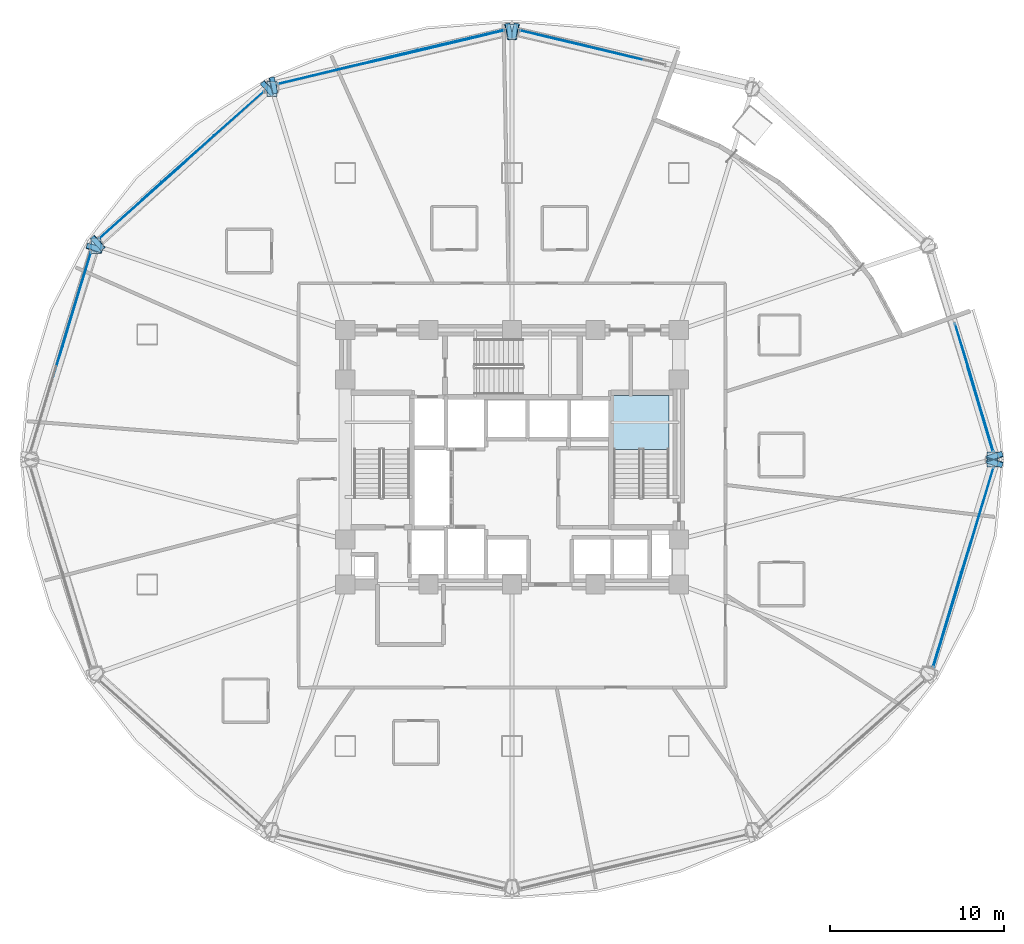
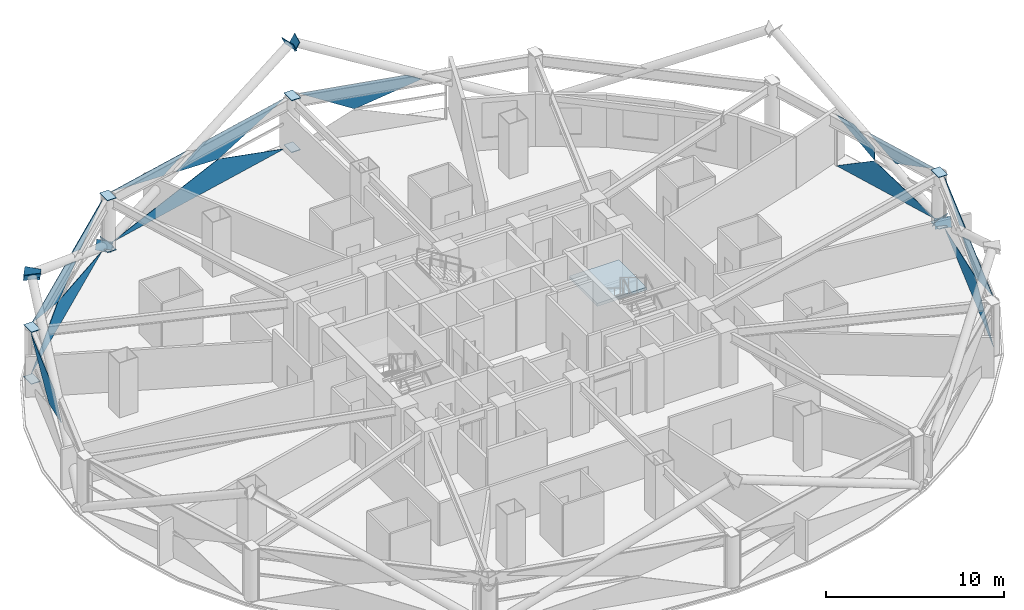
# One storey, part 23 of 33: 30 plates, 1 slab, 7 elements without a shape of their own.
"""IFC4 building model written with IfcOpenShell, lengths in metres."""

from ifc_helpers import new_model, si_unit, direction, frame, origin, place, context, subcontext, project, spatial, polyline, outline, extrude, material, layer, layer_set, type_object, element, aggregate, save


model = new_model("IFC4")

# Units and contexts
model_context = context("Model", 3, precision=1e-05, world=origin(), true_north=direction((0.0, 1.0)))
body_context = subcontext(model_context, "Body", "Model", "MODEL_VIEW")
ifc_project = project(units=[si_unit("LENGTHUNIT", "METRE"), si_unit("AREAUNIT", "SQUARE_METRE"), si_unit("VOLUMEUNIT", "CUBIC_METRE"), si_unit("PLANEANGLEUNIT", "RADIAN"), si_unit("MASSUNIT", "GRAM", prefix="KILO")], contexts=[model_context])

# Site, building, storey
site_placement = place(None, origin())
site = spatial("IfcSite", under=ifc_project, at=site_placement, CompositionType="ELEMENT")
building_placement = place(site_placement, origin())
building = spatial("IfcBuilding", under=site, at=building_placement, Name="Vantalir Tower", CompositionType="ELEMENT")
storey_placement = place(building_placement, frame((0.0, 0.0, 72.0)))
storey = spatial("IfcBuildingStorey", under=building, at=storey_placement, Name="L17", CompositionType="ELEMENT", Elevation=72.0)

# Curtain wall, plates
ifc_material_1 = material(Name="Champagne-silver PVDF aluminium and double-silver Low-E glass", Category="aluminium")
ifc_layer_1 = layer(ifc_material_1, 0.18994140625)
ifc_layer_set_1 = layer_set([ifc_layer_1], Name="Champagne-silver PVDF aluminium and double-silver Low-E glass")
curtain_wall_type = type_object("IfcCurtainWallType", Name="CW-DIAMOND-Z1", PredefinedType="USERDEFINED", material=ifc_layer_set_1)
curtain_wall_1_placement = place(storey_placement, origin())
curtain_wall_1 = element("IfcCurtainWall", 1, at=curtain_wall_1_placement, inside=storey, type_object=curtain_wall_type, Name="L17 Quilted Pyramid-Diamond Curtain Wall S01", ObjectType="UNITISED CURTAIN WALL", PredefinedType="USERDEFINED")
ifc_material_2 = material(Name="Double-silver Low-E laminated glass IGU", Category="glass")
ifc_layer_2 = layer(ifc_material_2, 0.028076171875)
ifc_layer_set_2 = layer_set([ifc_layer_2], Name="Double-silver Low-E laminated glass IGU")
plate_type_1 = type_object("IfcPlateType", Name="CWP-IGU-28", PredefinedType="CURTAIN_PANEL", material=ifc_layer_set_2)
plate_1_placement = place(storey_placement, frame((59.200439453125, 25.46435546875, 0.047119140625), z_axis=(-0.957580297939, -0.287837997777, 0.013757181213), x_axis=(-0.287864820134, 0.957671052249, 3.183641e-05)))
plate_1 = element("IfcPlate", 2, at=plate_1_placement, type_object=plate_type_1, Name="CW-L17-S01 Pyramid Diamond Facet 1L", PredefinedType="CURTAIN_PANEL", context=body_context, shape_type="SweptSolid", body=[
    extrude(outline(polyline([(0.0, 0.0), (7.6685978169408, -6.0173220572945496e-18), (4.748672380801629, -1.7246214038688812), (0.0, 0.0)])), origin(), (0.0, 0.0, -1.0), 0.028076171875),
])
plate_2_placement = place(storey_placement, frame((59.200439453125, 25.46435546875, 3.52294921875), z_axis=(0.957583010453, 0.287833232189, 0.013667792062), x_axis=(-0.287859496501, 0.957672651798, -4.7666749e-05)))
plate_2 = element("IfcPlate", 3, at=plate_2_placement, type_object=plate_type_1, Name="CW-L17-S01 Pyramid Diamond Facet 2U", PredefinedType="CURTAIN_PANEL", context=body_context, shape_type="SweptSolid", body=[
    extrude(outline(polyline([(0.0, 0.0), (5.121822459548979, -3.279711571768651e-18), (3.093361679926357, -1.123492650944241), (0.0, 0.0)])), origin(), (0.0, 0.0, -1.0), 0.028076171875),
])
plate_3_placement = place(storey_placement, frame((57.40625, 31.544921875, 3.523193359375), z_axis=(0.957583320338, 0.287834489377, 0.013619520375), x_axis=(-0.287858789449, 0.957672847923, -0.000183544064)))
plate_3 = element("IfcPlate", 4, at=plate_3_placement, type_object=plate_type_1, Name="CW-L17-S01 Pyramid Diamond Facet 2U Infill Light", PredefinedType="CURTAIN_PANEL", context=body_context, shape_type="SweptSolid", body=[
    extrude(outline(polyline([(0.0, 0.0), (1.328960806355496, -4.607859233063394e-19), (-1.590632555300185, -1.7250613546110272), (-1.59089816054626, -0.8814770696019826), (0.0, 0.0)])), origin(), (0.0, 0.0, -1.0), 0.028076171875),
])
aggregate(curtain_wall_1, [plate_1, plate_2, plate_3])

# Curtain wall, plate
curtain_wall_2_placement = place(storey_placement, origin())
curtain_wall_2 = element("IfcCurtainWall", 5, at=curtain_wall_2_placement, inside=storey, type_object=curtain_wall_type, Name="L17 Quilted Pyramid-Diamond Curtain Wall S03", ObjectType="UNITISED CURTAIN WALL", PredefinedType="USERDEFINED")
plate_4_placement = place(storey_placement, frame((38.102783203125, 48.241943359375, 3.52294921875), z_axis=(0.232291116628, 0.972549864769, 0.013696630006), x_axis=(-0.972640977992, 0.232313422854, -3.8631752e-05)))
plate_4 = element("IfcPlate", 6, at=plate_4_placement, type_object=plate_type_1, Name="CW-L17-S03 Pyramid Diamond Facet 2U", PredefinedType="CURTAIN_PANEL", context=body_context, shape_type="SweptSolid", body=[
    extrude(outline(polyline([(0.0, 0.0), (6.303551960260225, 1.6263032587282567e-18), (3.0444126218964946, -1.7251418704347088), (-0.8913670710555578, -0.4468530720500323), (0.0, 0.0)])), origin(), (0.0, 0.0, -1.0), 0.028076171875),
])
aggregate(curtain_wall_2, [plate_4])

# Curtain wall, plates
curtain_wall_3_placement = place(storey_placement, origin())
curtain_wall_3 = element("IfcCurtainWall", 7, at=curtain_wall_3_placement, inside=storey, type_object=curtain_wall_type, Name="L17 Quilted Pyramid-Diamond Curtain Wall S04", ObjectType="UNITISED CURTAIN WALL", PredefinedType="USERDEFINED")
plate_5_placement = place(storey_placement, frame((31.0283203125, 49.706298828125, 0.04638671875), z_axis=(0.232303727276, -0.972544233892, 0.013881333373), x_axis=(-0.972637888716, -0.232326359029, -1.8299178e-05)))
plate_5 = element("IfcPlate", 8, at=plate_5_placement, type_object=plate_type_1, Name="CW-L17-S04 Pyramid Diamond Facet 1L", PredefinedType="CURTAIN_PANEL", context=body_context, shape_type="SweptSolid", body=[
    extrude(outline(polyline([(0.0, 0.0), (13.341617317761697, 9.269928574751063e-18), (5.07616272459983, -1.7277984263753872), (0.0, 0.0)])), origin(), (0.0, 0.0, -1.0), 0.028076171875),
])
plate_6_placement = place(storey_placement, frame((31.0283203125, 49.706298828125, 3.523681640625), z_axis=(-0.232302875493, 0.972545099834, 0.013834841061), x_axis=(-0.972638187668, -0.232325108179, -1.64873e-07)))
plate_6 = element("IfcPlate", 9, at=plate_6_placement, type_object=plate_type_1, Name="CW-L17-S04 Pyramid Diamond Facet 2U", PredefinedType="CURTAIN_PANEL", context=body_context, shape_type="SweptSolid", body=[
    extrude(outline(polyline([(0.0, 0.0), (6.302307932058378, -3.469446951953614e-18), (8.373481169200161, -1.0384280813563243), (5.076194653659422, -1.727704616339445), (0.0, 0.0)])), origin(), (0.0, 0.0, -1.0), 0.028076171875),
])
plate_7_placement = place(storey_placement, frame((23.611572265625, 47.967529296875, 3.524169921875), z_axis=(-0.23230347241, 0.972544223394, 0.013886333178), x_axis=(-0.97263800493, -0.232325873218, 0.0)))
plate_7 = element("IfcPlate", 10, at=plate_7_placement, type_object=plate_type_1, Name="CW-L17-S04 Pyramid Diamond Facet 2U Infill Light", PredefinedType="CURTAIN_PANEL", context=body_context, shape_type="SweptSolid", body=[
    extrude(outline(polyline([(0.0, 0.0), (5.7240029530844145, 0.0), (1.684228293422677, -0.8445638545300994), (0.0, 0.0)])), origin(), (0.0, 0.0, -1.0), 0.028076171875),
])
aggregate(curtain_wall_3, [plate_5, plate_6, plate_7])

curtain_wall_4_placement = place(storey_placement, origin())
curtain_wall_4 = element("IfcCurtainWall", 11, at=curtain_wall_4_placement, inside=storey, type_object=curtain_wall_type, Name="L17 Quilted Pyramid-Diamond Curtain Wall S05", ObjectType="UNITISED CURTAIN WALL", PredefinedType="USERDEFINED")
plate_8_placement = place(storey_placement, frame((17.218017578125, 46.17138671875, 0.046142578125), z_axis=(0.665421029453, -0.746343716628, 0.013634889507), x_axis=(-0.746413277318, -0.665482696299, 1.9250852e-05)))
plate_8 = element("IfcPlate", 12, at=plate_8_placement, type_object=plate_type_1, Name="CW-L17-S05 Pyramid Diamond Facet 1L", PredefinedType="CURTAIN_PANEL", context=body_context, shape_type="SweptSolid", body=[
    extrude(outline(polyline([(0.0, 0.0), (12.682068688732114, -2.076247160309741e-17), (7.860800767093523, -1.7275483276115116), (0.0, 0.0)])), origin(), (0.0, 0.0, -1.0), 0.028076171875),
])
plate_9_placement = place(storey_placement, frame((12.226806640625, 41.721435546875, 3.523681640625), z_axis=(-0.66541282739, 0.746351808509, 0.013592169815), x_axis=(-0.746421126273, -0.665473891764, -4.0422072e-05)))
plate_9 = element("IfcPlate", 13, at=plate_9_placement, type_object=plate_type_1, Name="CW-L17-S05 Pyramid Diamond Facet 2U", PredefinedType="CURTAIN_PANEL", context=body_context, shape_type="SweptSolid", body=[
    extrude(outline(polyline([(0.0, 0.0), (5.995197071065841, 2.168404344971009e-18), (1.1739659897155759, -1.7274070432225381), (-1.9686819736934364, -1.037038810463641), (0.0, 0.0)])), origin(), (0.0, 0.0, -1.0), 0.028076171875),
])
plate_10_placement = place(storey_placement, frame((17.19677734375, 46.195068359375, 3.524169921875), z_axis=(-0.665399563383, 0.746362439133, 0.01365761696), x_axis=(-0.746432058553, -0.665461630723, 0.0)))
plate_10 = element("IfcPlate", 14, at=plate_10_placement, type_object=plate_type_1, Name="CW-L17-S05 Pyramid Diamond Facet 2U Infill Light", PredefinedType="CURTAIN_PANEL", context=body_context, shape_type="SweptSolid", body=[
    extrude(outline(polyline([(0.0, 0.0), (5.42129831242864, 0.0), (3.8250669246664364, -0.8406545793914653), (0.0, 0.0)])), origin(), (0.0, 0.0, -1.0), 0.028076171875),
])
aggregate(curtain_wall_4, [plate_8, plate_9, plate_10])

# Curtain wall, plate
curtain_wall_5_placement = place(storey_placement, origin())
curtain_wall_5 = element("IfcCurtainWall", 15, at=curtain_wall_5_placement, inside=storey, type_object=curtain_wall_type, Name="L17 Quilted Pyramid-Diamond Curtain Wall S06", ObjectType="UNITISED CURTAIN WALL", PredefinedType="USERDEFINED")
plate_11_placement = place(storey_placement, frame((7.25048828125, 36.944580078125, 3.5234375), z_axis=(-0.957574591467, 0.287853827542, 0.013823015062), x_axis=(-0.287881331296, -0.957666089559, 8.5345e-08)))
plate_11 = element("IfcPlate", 16, at=plate_11_placement, type_object=plate_type_1, Name="CW-L17-S06 Pyramid Diamond Facet 2U", PredefinedType="CURTAIN_PANEL", context=body_context, shape_type="SweptSolid", body=[
    extrude(outline(polyline([(0.0, 0.0), (5.646499053078897, 3.469446951953614e-18), (7.522032157026225, -1.0384299342225962), (4.561287369405631, -1.7269715470771774), (0.0, 0.0)])), origin(), (0.0, 0.0, -1.0), 0.028076171875),
])
aggregate(curtain_wall_5, [plate_11])

# Curtain wall, plates
curtain_wall_6_placement = place(storey_placement, origin())
curtain_wall_6 = element("IfcCurtainWall", 17, at=curtain_wall_6_placement, inside=storey, type_object=curtain_wall_type, Name="L17 Quilted Pyramid-Diamond Curtain Wall S12", ObjectType="UNITISED CURTAIN WALL", PredefinedType="USERDEFINED")
plate_12_placement = place(storey_placement, frame((55.74951171875, 13.054443359375, 0.046630859375), z_axis=(-0.957584028296, 0.28782325145, 0.013805965281), x_axis=(0.287850416265, 0.95767538208, -2.0364373e-05)))
plate_12 = element("IfcPlate", 18, at=plate_12_placement, type_object=plate_type_1, Name="CW-L17-S12 Pyramid Diamond Facet 1L", PredefinedType="CURTAIN_PANEL", context=body_context, shape_type="SweptSolid", body=[
    extrude(outline(polyline([(0.0, 0.0), (11.988614708820492, 7.020209066843641e-18), (4.561719193560669, -1.7270641386308458), (0.0, 0.0)])), origin(), (0.0, 0.0, -1.0), 0.028076171875),
])
plate_13_placement = place(storey_placement, frame((55.74951171875, 13.054443359375, 3.5234375), z_axis=(0.957579683842, -0.287837405297, 0.013812212168), x_axis=(0.2878648631, 0.957671039863, 1.91586e-07)))
plate_13 = element("IfcPlate", 19, at=plate_13_placement, type_object=plate_type_1, Name="CW-L17-S12 Pyramid Diamond Facet 2U", PredefinedType="CURTAIN_PANEL", context=body_context, shape_type="SweptSolid", body=[
    extrude(outline(polyline([(0.0, 0.0), (5.6469666656558335, 0.0), (7.522499411576835, -1.0384305784933598), (4.561754388181683, -1.7269711739384859), (0.0, 0.0)])), origin(), (0.0, 0.0, -1.0), 0.028076171875),
])
plate_14_placement = place(storey_placement, frame((57.75634765625, 19.619384765625, 3.52392578125), z_axis=(0.957599200058, -0.287771183012, 0.013839012823), x_axis=(0.287798111792, 0.957691100814, 4.7648694e-05)))
plate_14 = element("IfcPlate", 20, at=plate_14_placement, type_object=plate_type_1, Name="CW-L17-S12 Pyramid Diamond Facet 2U Infill Light", PredefinedType="CURTAIN_PANEL", context=body_context, shape_type="SweptSolid", body=[
    extrude(outline(polyline([(0.0, 0.0), (5.123763202669769, 3.415236843329339e-18), (1.5154170749069606, -0.8390197437516272), (0.0, 0.0)])), origin(), (0.0, 0.0, -1.0), 0.028076171875),
])
aggregate(curtain_wall_6, [plate_12, plate_13, plate_14])

# Plates
ifc_material_3 = material(Name="Steel S460", Category="steel")
ifc_layer_3 = layer(ifc_material_3, 0.0400390625)
ifc_layer_set_3 = layer_set([ifc_layer_3], Name="Steel S460")
plate_type_2 = type_object("IfcPlateType", Name="PLT-KN-Z1", PredefinedType="USERDEFINED", material=ifc_layer_set_3)
plate_15_placement = place(storey_placement, frame((59.68896484375, 25.4755859375, -0.080810546875), z_axis=(-0.261114680046, 0.834937513295, 0.484456884312), x_axis=(-0.954407348146, -0.298507304943, 5.1970661e-05)))
element("IfcPlate", 21, at=plate_15_placement, inside=storey, type_object=plate_type_2, Name="Node Cap Plate MEM-DG-L17-R01L Start", ObjectType="FLANGE_PLATE", PredefinedType="USERDEFINED", context=body_context, shape_type="SweptSolid", body=[
    extrude(outline(polyline([(0.0, 0.0), (0.9500816355852792, 2.7755575615628914e-17), (0.9501537933102906, 0.6200522435756315), (0.00014503548500714174, 0.6201651233705399), (0.0, 0.0)])), origin(), (0.0, 0.0, -1.0), 0.0400390625),
])
plate_16_placement = place(storey_placement, frame((58.7822265625, 24.80810546875, -0.080810546875), z_axis=(-0.261162207707, -0.835089487237, 0.484169236499), x_axis=(0.954424519356, -0.298452398471, 5.1953242e-05)))
element("IfcPlate", 22, at=plate_16_placement, inside=storey, type_object=plate_type_2, Name="Node Cap Plate MEM-DG-L17-R01R Start", ObjectType="FLANGE_PLATE", PredefinedType="USERDEFINED", context=body_context, shape_type="SweptSolid", body=[
    extrude(outline(polyline([(0.0, 0.0), (0.9500087645294669, 0.0), (0.9500831237337033, 0.619939426343857), (1.4948491408900313e-06, 0.6200522477694077), (0.0, 0.0)])), origin(), (0.0, 0.0, -1.0), 0.0400390625),
])
plate_17_placement = place(storey_placement, frame((31.634521484375, 50.1416015625, 6.878662109375), z_axis=(-0.871386809735, 0.199640162842, 0.448139301111), x_axis=(-0.223320202055, -0.974745139693, 0.0)))
element("IfcPlate", 23, at=plate_17_placement, inside=storey, type_object=plate_type_2, Name="Node Cap Plate MEM-DG-L17-R07L End", ObjectType="FLANGE_PLATE", PredefinedType="USERDEFINED", context=body_context, shape_type="SweptSolid", body=[
    extrude(outline(polyline([(0.0, 0.0), (0.9500179615330506, 0.0), (0.9502371769976814, 0.6199347854050556), (0.00021921546463094655, 0.6199347854050556), (0.0, 0.0)])), origin(), (0.0, 0.0, -1.0), 0.0400390625),
])
plate_18_placement = place(storey_placement, frame((17.00439453125, 46.6123046875, -0.088134765625), z_axis=(-0.654580602612, -0.59534202454, 0.465931441847), x_axis=(0.672852961049, -0.739776244236, 3.5648513e-05)))
element("IfcPlate", 24, at=plate_18_placement, inside=storey, type_object=plate_type_2, Name="Node Cap Plate MEM-DG-L17-R13L Start", ObjectType="FLANGE_PLATE", PredefinedType="USERDEFINED", context=body_context, shape_type="SweptSolid", body=[
    extrude(outline(polyline([(0.0, 0.0), (0.9498547565769415, 0.0), (0.9498461024543275, 0.6199561640282064), (-0.0001892635572418254, 0.6200327086290652), (0.0, 0.0)])), origin(), (0.0, 0.0, -1.0), 0.0400390625),
])
plate_19_placement = place(storey_placement, frame((7.216552734375, 37.7080078125, 6.878173828125), z_axis=(-0.654467409293, -0.595466439096, 0.465931465007), x_axis=(0.672993578313, -0.73964832338, 3.5649798e-05)))
element("IfcPlate", 25, at=plate_19_placement, inside=storey, type_object=plate_type_2, Name="Node Cap Plate MEM-DG-L17-R13L End", ObjectType="FLANGE_PLATE", PredefinedType="USERDEFINED", context=body_context, shape_type="SweptSolid", body=[
    extrude(outline(polyline([(0.0, 0.0), (0.9500190567111387, 5.551115123125783e-17), (0.9500653020012169, 0.6199561623620076), (-0.00013433291387211798, 0.6200327229614984), (0.0, 0.0)])), origin(), (0.0, 0.0, -1.0), 0.0400390625),
])
plate_20_placement = place(storey_placement, frame((18.020263671875, 46.107666015625, -0.094970703125), z_axis=(0.871286829879, 0.19973211141, 0.448292698749), x_axis=(-0.223466812961, 0.974711537321, 5.0185253e-05)))
element("IfcPlate", 26, at=plate_20_placement, inside=storey, type_object=plate_type_2, Name="Node Cap Plate MEM-DG-L17-R13R Start", ObjectType="FLANGE_PLATE", PredefinedType="USERDEFINED", context=body_context, shape_type="SweptSolid", body=[
    extrude(outline(polyline([(0.0, 0.0), (0.9500725069175502, -1.3877787807814457e-17), (0.9499228912148794, 0.6199347969856953), (-9.50583752878697e-05, 0.6200414732654709), (0.0, 0.0)])), origin(), (0.0, 0.0, -1.0), 0.0400390625),
])
plate_21_placement = place(storey_placement, frame((31.57763671875, 49.215576171875, 6.878662109375), z_axis=(0.871386809735, 0.199640162842, 0.448139301111), x_axis=(-0.223320202055, 0.974745139693, 0.0)))
element("IfcPlate", 27, at=plate_21_placement, inside=storey, type_object=plate_type_2, Name="Node Cap Plate MEM-DG-L17-R13R End", ObjectType="FLANGE_PLATE", PredefinedType="USERDEFINED", context=body_context, shape_type="SweptSolid", body=[
    extrude(outline(polyline([(0.0, 0.0), (0.9500179615330506, 0.0), (0.9497987460684196, 0.6199347854050556), (-0.00021921546463094655, 0.6199347854050556), (0.0, 0.0)])), origin(), (0.0, 0.0, -1.0), 0.0400390625),
])
plate_22_placement = place(storey_placement, frame((7.968994140625, 37.1865234375, 6.877685546875), z_axis=(0.26126543876, 0.834947682302, 0.484358068302), x_axis=(-0.954365184517, 0.29864208397, -1.6263131e-05)))
element("IfcPlate", 28, at=plate_22_placement, inside=storey, type_object=plate_type_2, Name="Node Cap Plate MEM-DG-L17-R19R End", ObjectType="FLANGE_PLATE", PredefinedType="USERDEFINED", context=body_context, shape_type="SweptSolid", body=[
    extrude(outline(polyline([(0.0, 0.0), (0.9498486405477518, 0.0), (0.9499864444161651, 0.6200875662071242), (-9.519544421293694e-05, 0.6200522480230987), (0.0, 0.0)])), origin(), (0.0, 0.0, -1.0), 0.0400390625),
])
ifc_layer_4 = layer(ifc_material_3, 0.035888671875)
ifc_layer_set_4 = layer_set([ifc_layer_4], Name="Steel S460")
plate_type_3 = type_object("IfcPlateType", Name="PLT-KN-Z2", PredefinedType="USERDEFINED", material=ifc_layer_set_4)
for number, where, z_axis, x_axis, name in (
    (29, (58.860107421875, 25.43994140625, 3.597900390625), (0.0, 0.0, 1.0), (0.0, -1.0, 0.0), "L17 Ring Column Top Cap RC01"),
    (30, (58.860107421875, 25.43994140625, 0.052978515625), (0.0, 0.0, 1.0), (0.0, -1.0, 0.0), "L17 Ring Column Base Cap RC01"),
):
    element("IfcPlate", number, at=place(storey_placement, frame(where, z_axis=z_axis, x_axis=x_axis)), inside=storey, type_object=plate_type_3, Name=name, ObjectType="FLANGE_PLATE", PredefinedType="USERDEFINED", context=body_context, shape_type="SweptSolid", body=[
        extrude(outline(polyline([(0.0, 0.0), (0.8798828125, 0.0), (0.8798828125, 0.579833984375), (0.0, 0.579833984375), (0.0, 0.0)])), origin(), (0.0, 0.0, -1.0), 0.035888671875),
    ])
for number, where, z_axis, x_axis, name in (
    (31, (31.2099609375, 50.069091796875, 3.597900390625), (0.0, 0.0, 1.0), (0.0, -1.0, 0.0), "L17 Ring Column Top Cap RC04"),
    (32, (31.2099609375, 50.069091796875, 0.052978515625), (0.0, 0.0, 1.0), (0.0, -1.0, 0.0), "L17 Ring Column Base Cap RC04"),
    (33, (17.385009765625, 46.76904296875, 3.597900390625), (0.0, 0.0, 1.0), (0.0, -1.0, 0.0), "L17 Ring Column Top Cap RC05"),
    (34, (17.385009765625, 46.76904296875, 0.052978515625), (0.0, 0.0, 1.0), (0.0, -1.0, 0.0), "L17 Ring Column Base Cap RC05"),
):
    element("IfcPlate", number, at=place(storey_placement, frame(where, z_axis=z_axis, x_axis=x_axis)), inside=storey, type_object=plate_type_3, Name=name, ObjectType="FLANGE_PLATE", PredefinedType="USERDEFINED", context=body_context, shape_type="SweptSolid", body=[
        extrude(outline(polyline([(0.0, 0.0), (0.880126953125, 0.0), (0.880126953125, 0.580078125), (0.0, 0.580078125), (0.0, 0.0)])), origin(), (0.0, 0.0, -1.0), 0.035888671875),
    ])
for number, where, z_axis, x_axis, name in (
    (35, (7.263916015625, 37.75390625, 3.597900390625), (0.0, 0.0, 1.0), (0.0, -1.0, 0.0), "L17 Ring Column Top Cap RC06"),
    (36, (7.263916015625, 37.75390625, 0.052978515625), (0.0, 0.0, 1.0), (0.0, -1.0, 0.0), "L17 Ring Column Base Cap RC06"),
):
    element("IfcPlate", number, at=place(storey_placement, frame(where, z_axis=z_axis, x_axis=x_axis)), inside=storey, type_object=plate_type_3, Name=name, ObjectType="FLANGE_PLATE", PredefinedType="USERDEFINED", context=body_context, shape_type="SweptSolid", body=[
        extrude(outline(polyline([(0.0, 0.0), (0.8798828125, 0.0), (0.8798828125, 0.580078125), (0.0, 0.580078125), (0.0, 0.0)])), origin(), (0.0, 0.0, -1.0), 0.035888671875),
    ])

# Stair, slab
ifc_material_4 = material(Name="Concrete C40/50", Category="concrete")
stair_type = type_object("IfcStairType", Name="STR-CORE-1450", PredefinedType="HALF_TURN_STAIR", material=ifc_material_4)
stair_placement = place(storey_placement, origin())
stair = element("IfcStair", 37, at=stair_placement, inside=storey, type_object=stair_type, Name="L17 Core Exit Stair 2", PredefinedType="HALF_TURN_STAIR")
ifc_layer_5 = layer(ifc_material_4, 0.199951171875)
ifc_layer_set_5 = layer_set([ifc_layer_5], Name="Concrete C40/50")
slab_type = type_object("IfcSlabType", Name="SL-LAND-200", PredefinedType="LANDING", material=ifc_layer_set_5)
slab_placement = place(storey_placement, frame((0.0, 0.0, 1.675048828125)))
slab = element("IfcSlab", 38, at=slab_placement, type_object=slab_type, Name="ST2 landing 1", PredefinedType="LANDING", context=body_context, shape_type="SweptSolid", body=[
    extrude(outline(polyline([(40.550048828125, 25.590087890625), (40.550048828125, 28.699951171875), (37.35009765625, 28.699951171875), (37.35009765625, 25.590087890625), (40.550048828125, 25.590087890625)])), origin(), (0.0, 0.0, 1.0), 0.199951171875),
])
aggregate(stair, [slab])

save(model, "model.ifc")
